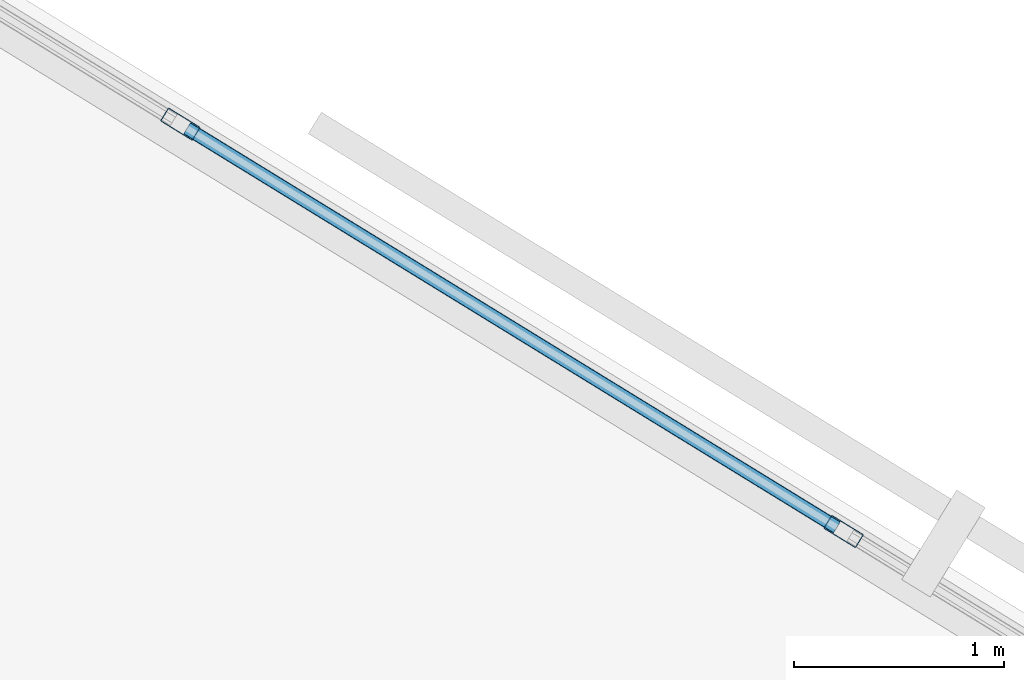
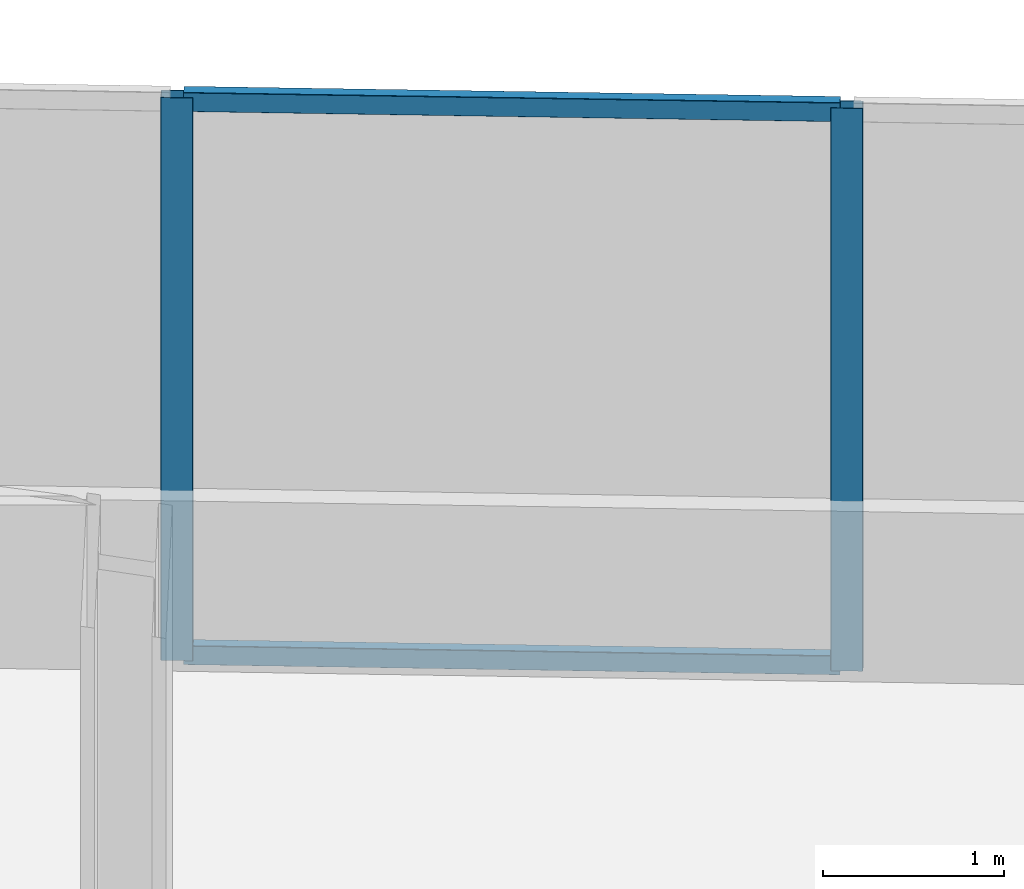
# One storey, part 6 of 19: 4 members, 1 element without a shape of its own.
"""IFC4 building model written with IfcOpenShell, lengths in metres."""

from ifc_helpers import new_model, si_unit, direction, frame, origin, origin_2d, place, context, subcontext, project, spatial, hollow_rectangle, extrude, material, material_profile, profile_set, type_object, element, aggregate, save


model = new_model("IFC4")

# Units and contexts
model_context = context("Model", 3, precision=1e-05, world=origin(), true_north=direction((0.0, 1.0)))
body_context = subcontext(model_context, "Body", "Model", "MODEL_VIEW")
ifc_project = project(units=[si_unit("LENGTHUNIT", "METRE"), si_unit("AREAUNIT", "SQUARE_METRE"), si_unit("VOLUMEUNIT", "CUBIC_METRE"), si_unit("PLANEANGLEUNIT", "RADIAN"), si_unit("MASSUNIT", "GRAM", prefix="KILO")], contexts=[model_context])

# Site, building, storey
site_placement = place(None, origin())
site = spatial("IfcSite", under=ifc_project, at=site_placement, CompositionType="ELEMENT")
building_placement = place(site_placement, origin())
building = spatial("IfcBuilding", under=site, at=building_placement, Name="Narakoshi Arena Tower", CompositionType="ELEMENT")
storey_placement = place(building_placement, frame((0.0, 0.0, 128.10009765625)))
storey = spatial("IfcBuildingStorey", under=building, at=storey_placement, Name="L34", CompositionType="ELEMENT", Elevation=128.10009765625)

# Curtain wall, members
ifc_material = material(Name="Anodised bronze aluminium 6063-T6", Category="aluminium")
curtain_wall_type = type_object("IfcCurtainWallType", Name="CW-HYP-LOW", PredefinedType="NOTDEFINED", material=ifc_material)
curtain_wall_placement = place(storey_placement, origin())
curtain_wall = element("IfcCurtainWall", 1, at=curtain_wall_placement, inside=storey, type_object=curtain_wall_type, Name="L34 Folded Hypotenuse Curtain Wall 1-1", PredefinedType="NOTDEFINED")
ifc_material_profile_1 = material_profile(ifc_material, hollow_rectangle(XDim=0.074951171875, YDim=0.179931640625, WallThickness=0.00390625, OuterFilletRadius=0.0048828125, at=origin_2d()), Name="MUL180x75x4")
ifc_profile_set_1 = profile_set([ifc_material_profile_1], Name="Anodised bronze aluminium 6063-T6")
member_type_1 = type_object("IfcMemberType", Name="MEM-MUL-180", PredefinedType="MULLION", material=ifc_profile_set_1)
member_1_placement = place(storey_placement, frame((103.400146484375, 53.229736328125, 0.0), z_axis=(0.0, 0.0, 1.0), x_axis=(-0.523358055641, -0.852112871394, 0.0)))
member_1 = element("IfcMember", 2, at=member_1_placement, type_object=member_type_1, Name="CW-01 mullion 6", PredefinedType="MULLION", context=body_context, shape_type="SweptSolid", body=[
    extrude(hollow_rectangle(XDim=0.074951171875, YDim=0.179931640625, WallThickness=0.00390625, OuterFilletRadius=0.0048828125, at=origin_2d()), origin(), (0.0, 0.0, 1.0), 3.7998046875),
])
member_2_placement = place(storey_placement, frame((100.2412109375, 55.169921875, 0.0), z_axis=(0.0, 0.0, 1.0), x_axis=(-0.523358055641, -0.852112871394, 0.0)))
member_2 = element("IfcMember", 3, at=member_2_placement, type_object=member_type_1, Name="CW-01 mullion 7", PredefinedType="MULLION", context=body_context, shape_type="SweptSolid", body=[
    extrude(hollow_rectangle(XDim=0.074951171875, YDim=0.179931640625, WallThickness=0.00390625, OuterFilletRadius=0.0048828125, at=origin_2d()), origin(), (0.0, 0.0, 1.0), 3.7998046875),
])
ifc_material_profile_2 = material_profile(ifc_material, hollow_rectangle(XDim=0.06494140625, YDim=0.1298828125, WallThickness=0.00390625, OuterFilletRadius=0.0048828125, at=origin_2d()), Name="TRN130x65x4")
ifc_profile_set_2 = profile_set([ifc_material_profile_2], Name="Anodised bronze aluminium 6063-T6")
member_type_2 = type_object("IfcMemberType", Name="MEM-TRN-130", PredefinedType="USERDEFINED", material=ifc_profile_set_2)
member_3_placement = place(storey_placement, frame((103.3681640625, 53.249267578125, 0.032470703125), z_axis=(-0.852114955894, 0.523354661717, 0.0), x_axis=(-0.523354661717, -0.852114955894, 0.0)))
member_3 = element("IfcMember", 4, at=member_3_placement, type_object=member_type_2, Name="CW-01 transom 6.1", ObjectType="TRANSOM", PredefinedType="USERDEFINED", context=body_context, shape_type="SweptSolid", body=[
    extrude(hollow_rectangle(XDim=0.06494140625, YDim=0.1298828125, WallThickness=0.00390625, OuterFilletRadius=0.0048828125, at=origin_2d()), origin(), (0.0, 0.0, 1.0), 3.632080078125),
])
member_4_placement = place(storey_placement, frame((103.3681640625, 53.249267578125, 3.767333984375), z_axis=(-0.852114955894, 0.523354661717, 0.0), x_axis=(-0.523354661717, -0.852114955894, 0.0)))
member_4 = element("IfcMember", 5, at=member_4_placement, type_object=member_type_2, Name="CW-01 transom 6.2", ObjectType="TRANSOM", PredefinedType="USERDEFINED", context=body_context, shape_type="SweptSolid", body=[
    extrude(hollow_rectangle(XDim=0.06494140625, YDim=0.1298828125, WallThickness=0.00390625, OuterFilletRadius=0.0048828125, at=origin_2d()), origin(), (0.0, 0.0, 1.0), 3.632080078125),
])
aggregate(curtain_wall, [member_1, member_2, member_3, member_4])

save(model, "model.ifc")
